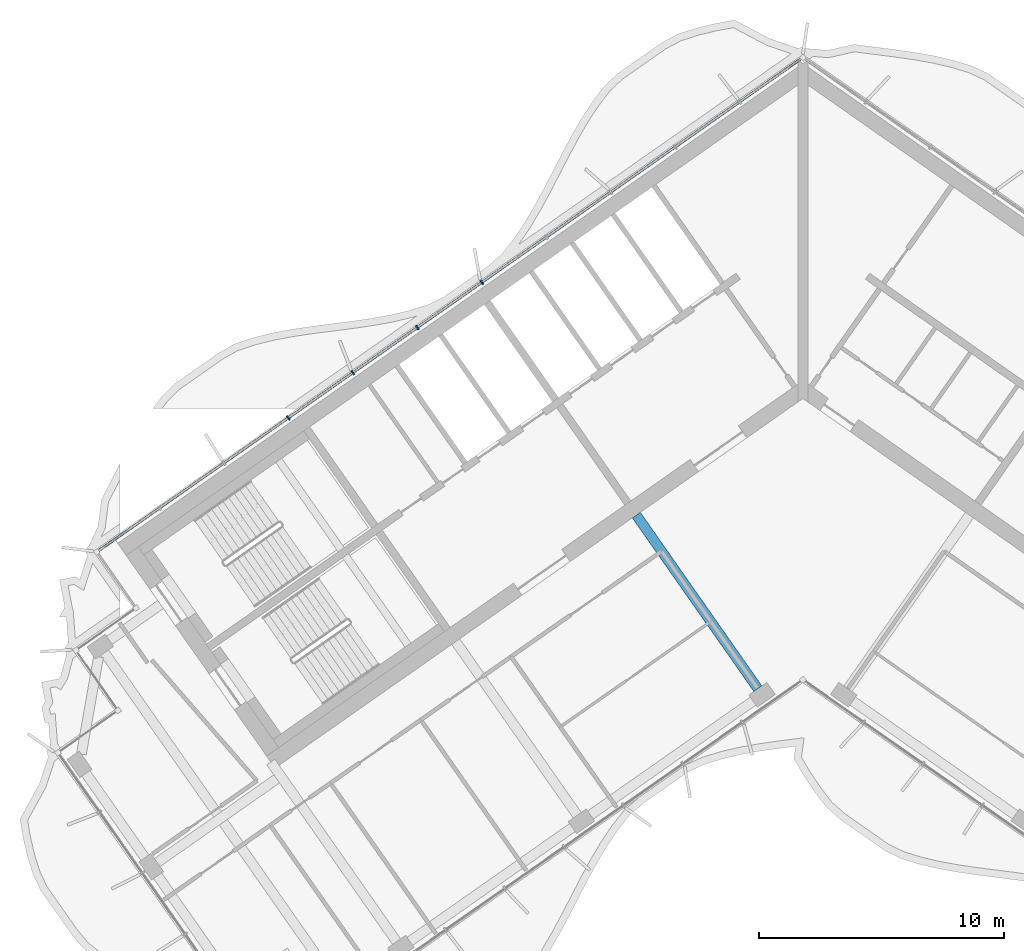
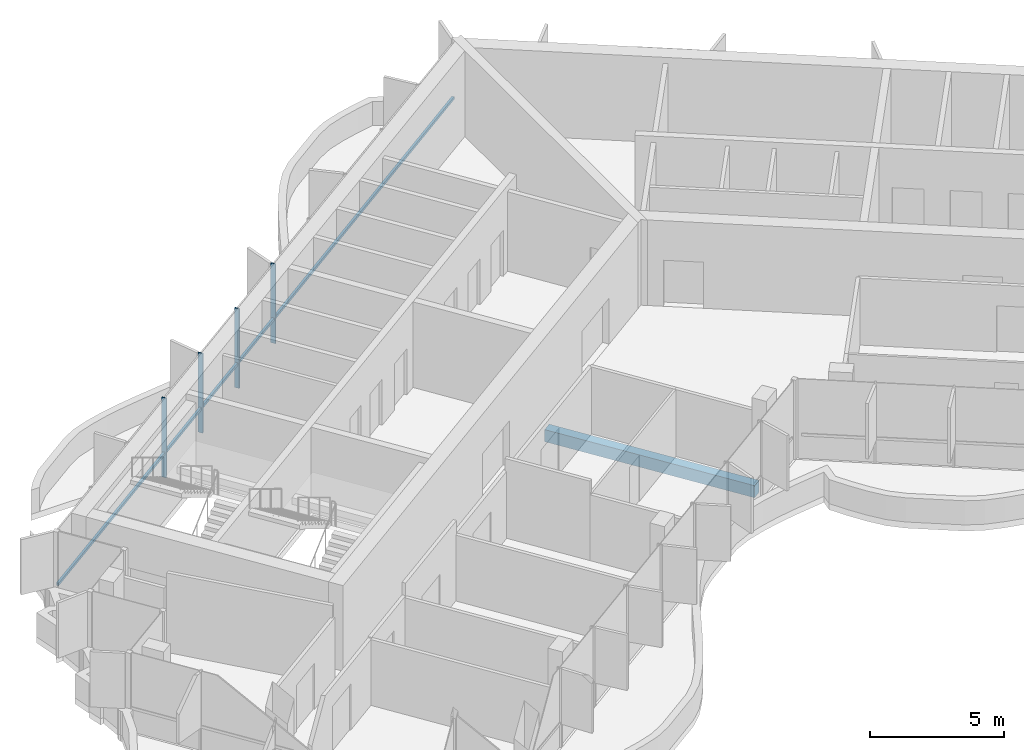
# One storey, part 3 of 18: 5 members, 1 beam, 1 element without a shape of its own.
"""IFC4 building model written with IfcOpenShell, lengths in metres."""

from ifc_helpers import new_model, si_unit, direction, frame, origin, origin_2d, place, context, subcontext, project, spatial, rectangle, extrude, material, material_profile, profile_set, type_object, element, aggregate, save


model = new_model("IFC4")

# Units and contexts
model_context = context("Model", 3, precision=1e-05, world=origin(), true_north=direction((0.0, 1.0)))
body_context = subcontext(model_context, "Body", "Model", "MODEL_VIEW")
ifc_project = project(units=[si_unit("LENGTHUNIT", "METRE"), si_unit("AREAUNIT", "SQUARE_METRE"), si_unit("VOLUMEUNIT", "CUBIC_METRE"), si_unit("PLANEANGLEUNIT", "RADIAN"), si_unit("MASSUNIT", "GRAM", prefix="KILO")], contexts=[model_context])

# Site, building, storey
site_placement = place(None, origin())
site = spatial("IfcSite", under=ifc_project, at=site_placement, CompositionType="ELEMENT")
building_placement = place(site_placement, origin())
building = spatial("IfcBuilding", under=site, at=building_placement, Name="Tel Ilan Convention Tower", CompositionType="ELEMENT")
storey_placement = place(building_placement, frame((0.0, 0.0, 299.5)))
storey = spatial("IfcBuildingStorey", under=building, at=storey_placement, Name="L71", CompositionType="ELEMENT", Elevation=299.5)

# Beam
ifc_material_1 = material(Name="Concrete C40/50", Category="concrete")
ifc_material_profile_1 = material_profile(ifc_material_1, rectangle(XDim=0.39990234375, YDim=0.550048828125, at=origin_2d()), Name="RC 400x550")
ifc_profile_set_1 = profile_set([ifc_material_profile_1], Name="Concrete C40/50")
beam_type = type_object("IfcBeamType", Name="Beam RC 400x550 Concrete C40/50", PredefinedType="BEAM", material=ifc_profile_set_1)
beam_placement = place(storey_placement, frame((-1.83740234375, -13.06689453125, -0.554931640625), z_axis=(-0.573574099654, 0.819153680457, 0.0), x_axis=(-0.819153680457, -0.573574099654, 0.0)))
element("IfcBeam", 1, at=beam_placement, inside=storey, type_object=beam_type, Name="L71 beam W-W-F1-core", PredefinedType="BEAM", context=body_context, shape_type="SweptSolid", body=[
    extrude(rectangle(XDim=0.39990234375, YDim=0.550048828125, at=origin_2d()), origin(), (0.0, 0.0, 1.0), 8.64990234375),
])

# Curtain wall, members
ifc_material_2 = material(Name="Aluminium, bronze anodised", Category="aluminium")
curtain_wall_type = type_object("IfcCurtainWallType", Name="CW2 STICK CURTAIN WALL, SPANDREL PANELS", PredefinedType="NOTDEFINED", material=ifc_material_2)
curtain_wall_placement = place(storey_placement, origin())
curtain_wall = element("IfcCurtainWall", 2, at=curtain_wall_placement, inside=storey, type_object=curtain_wall_type, Name="Curtain wall CW2-54.01", PredefinedType="NOTDEFINED")
ifc_material_3 = material(Name="Aluminium, bronze anodised", Category="aluminium")
ifc_material_profile_2 = material_profile(ifc_material_3, rectangle(XDim=0.06005859375, YDim=0.199951171875, at=origin_2d()), Name="CW MULLION 60x200")
ifc_profile_set_2 = profile_set([ifc_material_profile_2], Name="Aluminium, bronze anodised")
member_type_1 = type_object("IfcMemberType", Name="CW MULLION 60x200", PredefinedType="MULLION", material=ifc_profile_set_2)
member_1_placement = place(storey_placement, frame((-13.105712890625, 3.519287109375, 0.0), z_axis=(0.0, 0.0, 1.0), x_axis=(-0.819152044289, -0.573576436351, 0.0)))
member_1 = element("IfcMember", 3, at=member_1_placement, type_object=member_type_1, Name="Mullion", PredefinedType="MULLION", context=body_context, shape_type="SweptSolid", body=[
    extrude(rectangle(XDim=0.06005859375, YDim=0.199951171875, at=origin_2d()), origin(), (0.0, 0.0, 1.0), 3.6201171875),
])
member_2_placement = place(storey_placement, frame((-15.73828125, 1.676025390625, 0.0), z_axis=(0.0, 0.0, 1.0), x_axis=(-0.819152044289, -0.573576436351, 0.0)))
member_2 = element("IfcMember", 4, at=member_2_placement, type_object=member_type_1, Name="Mullion", PredefinedType="MULLION", context=body_context, shape_type="SweptSolid", body=[
    extrude(rectangle(XDim=0.06005859375, YDim=0.199951171875, at=origin_2d()), origin(), (0.0, 0.0, 1.0), 3.6201171875),
])
member_3_placement = place(storey_placement, frame((-18.37109375, -0.16748046875, 0.0), z_axis=(0.0, 0.0, 1.0), x_axis=(-0.819152044289, -0.573576436351, 0.0)))
member_3 = element("IfcMember", 5, at=member_3_placement, type_object=member_type_1, Name="Mullion", PredefinedType="MULLION", context=body_context, shape_type="SweptSolid", body=[
    extrude(rectangle(XDim=0.06005859375, YDim=0.199951171875, at=origin_2d()), origin(), (0.0, 0.0, 1.0), 3.6201171875),
])
member_4_placement = place(storey_placement, frame((-21.003662109375, -2.0107421875, 0.0), z_axis=(0.0, 0.0, 1.0), x_axis=(-0.819152044289, -0.573576436351, 0.0)))
member_4 = element("IfcMember", 6, at=member_4_placement, type_object=member_type_1, Name="Mullion", PredefinedType="MULLION", context=body_context, shape_type="SweptSolid", body=[
    extrude(rectangle(XDim=0.06005859375, YDim=0.199951171875, at=origin_2d()), origin(), (0.0, 0.0, 1.0), 3.6201171875),
])
ifc_material_4 = material(Name="Aluminium, bronze anodised", Category="aluminium")
ifc_material_profile_3 = material_profile(ifc_material_4, rectangle(XDim=0.10009765625, YDim=0.1201171875, at=origin_2d()), Name="CW TRANSOM 100x120")
ifc_profile_set_3 = profile_set([ifc_material_profile_3], Name="Aluminium, bronze anodised")
member_type_2 = type_object("IfcMemberType", Name="CW TRANSOM 100x120", PredefinedType="USERDEFINED", material=ifc_profile_set_3)
member_5_placement = place(storey_placement, frame((-0.1064453125, 12.62158203125, 1.10009765625), z_axis=(-0.819150201937, -0.573579067494, 0.0), x_axis=(0.573579067494, -0.819150201937, 0.0)))
member_5 = element("IfcMember", 7, at=member_5_placement, type_object=member_type_2, Name="Transom", ObjectType="TRANSOM", PredefinedType="USERDEFINED", context=body_context, shape_type="SweptSolid", body=[
    extrude(rectangle(XDim=0.10009765625, YDim=0.1201171875, at=origin_2d()), origin(), (0.0, 0.0, 1.0), 34.9521484375),
])
aggregate(curtain_wall, [member_1, member_2, member_3, member_4, member_5])

save(model, "model.ifc")
